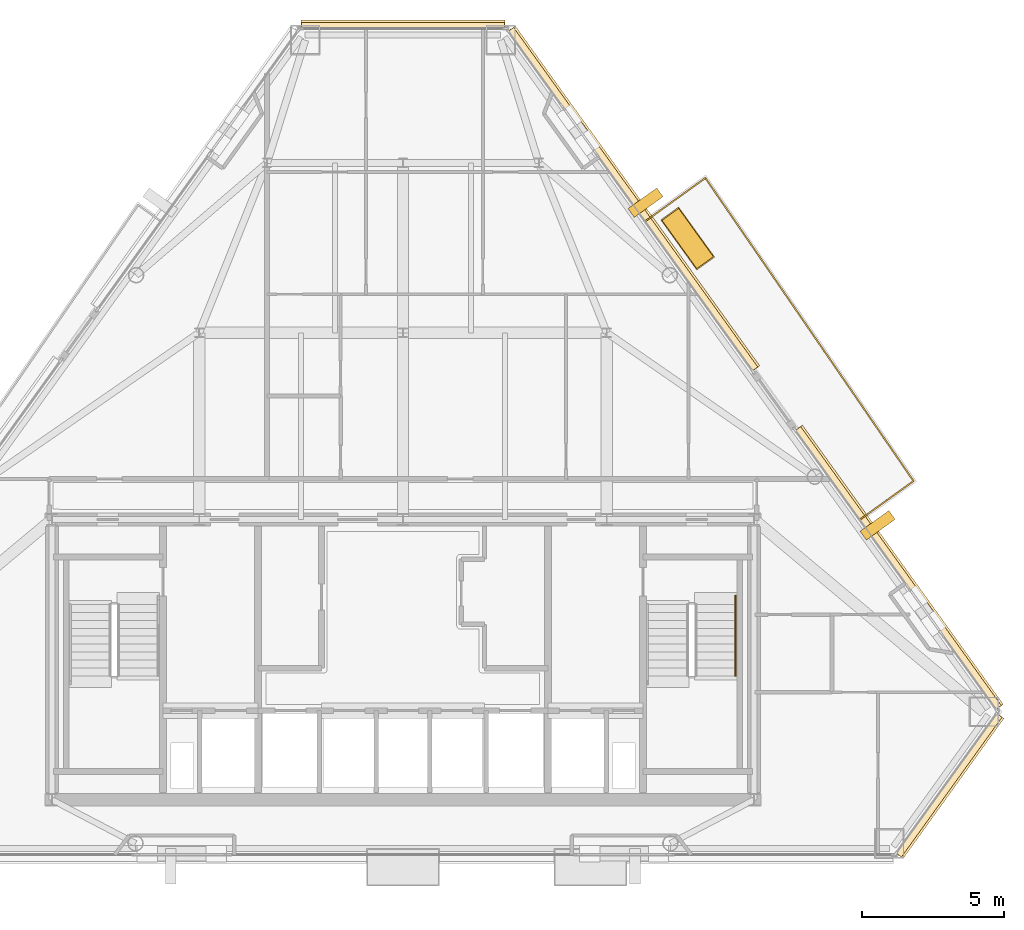
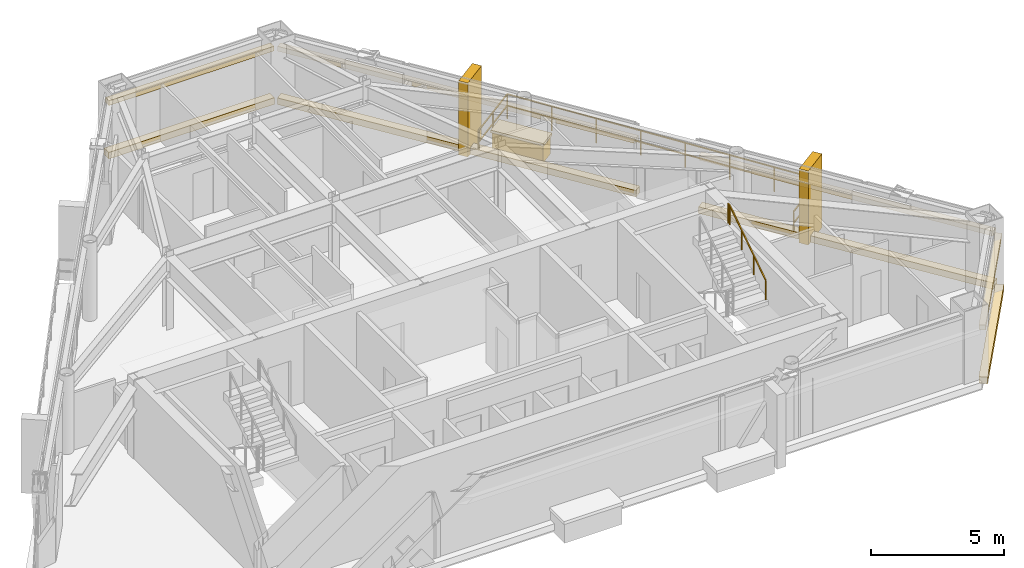
# One storey, part 11 of 11: 12 coverings, 2 railings.
"""IFC4 building model written with IfcOpenShell, lengths in metres."""

from ifc_helpers import new_model, si_unit, direction, frame, origin, origin_2d, place, context, subcontext, project, spatial, rectangle, extrude, material, layer, layer_set, type_object, element, save


model = new_model("IFC4")

# Units and contexts
model_context = context("Model", 3, precision=1e-05, world=origin(), true_north=direction((0.0, 1.0)))
body_context = subcontext(model_context, "Body", "Model", "MODEL_VIEW")
ifc_project = project(units=[si_unit("LENGTHUNIT", "METRE"), si_unit("AREAUNIT", "SQUARE_METRE"), si_unit("VOLUMEUNIT", "CUBIC_METRE"), si_unit("PLANEANGLEUNIT", "RADIAN"), si_unit("MASSUNIT", "GRAM", prefix="KILO")], contexts=[model_context])

# Site, building, storey
site_placement = place(None, origin())
site = spatial("IfcSite", under=ifc_project, at=site_placement, CompositionType="ELEMENT")
building_placement = place(site_placement, origin())
building = spatial("IfcBuilding", under=site, at=building_placement, Name="Talgorran Terracotta Tower", CompositionType="ELEMENT")
storey_placement = place(building_placement, frame((0.0, 0.0, 196.5)))
storey = spatial("IfcBuildingStorey", under=building, at=storey_placement, Name="L51", CompositionType="ELEMENT", Elevation=196.5)

# Coverings
ifc_material_1 = material(Name="Kiln-Fired Terracotta Ochre Ceramic", Category="masonry")
ifc_layer_1 = layer(ifc_material_1, 0.179931640625, Name="COV_BAGUETTE_TERRACOTTA_SCREEN")
ifc_layer_set_1 = layer_set([ifc_layer_1], Name="Kiln-Fired Terracotta Ochre Ceramic")
covering_type_1 = type_object("IfcCoveringType", Name="COV_BAGUETTE_TERRACOTTA_SCREEN", PredefinedType="CLADDING", material=ifc_layer_set_1)
covering_1_placement = place(storey_placement, frame((19.281982421875, -13.574951171875, 2.41015625), z_axis=(0.0, 0.0, 1.0), x_axis=(0.583980505394, 0.811767681864, 0.0)))
element("IfcCovering", 1, at=covering_1_placement, inside=storey, type_object=covering_type_1, Name="L51 Terracotta Baguette Solar Screen Assembly F2", PredefinedType="CLADDING", context=body_context, shape_type="SweptSolid", body=[
    extrude(rectangle(XDim=6.07958984375, YDim=0.260009765625, at=origin_2d()), origin(), (0.0, 0.0, 1.0), 0.219970703125),
])
covering_2_placement = place(storey_placement, frame((17.490478515625, -5.9189453125, 2.41015625), z_axis=(0.0, 0.0, 1.0), x_axis=(-0.583980505394, 0.811767681864, 0.0)))
element("IfcCovering", 2, at=covering_2_placement, inside=storey, type_object=covering_type_1, Name="L51 Terracotta Baguette Solar Screen Assembly F40", PredefinedType="CLADDING", context=body_context, shape_type="SweptSolid", body=[
    extrude(rectangle(XDim=12.135009765625, YDim=0.260009765625, at=origin_2d()), origin(), (0.0, 0.0, 1.0), 0.219970703125),
])
covering_3_placement = place(storey_placement, frame((8.115478515625, 7.112548828125, 2.41015625), z_axis=(0.0, 0.0, 1.0), x_axis=(-0.583980505394, 0.811767681864, 0.0)))
element("IfcCovering", 3, at=covering_3_placement, inside=storey, type_object=covering_type_1, Name="L51 Terracotta Baguette Solar Screen Assembly F41", PredefinedType="CLADDING", context=body_context, shape_type="SweptSolid", body=[
    extrude(rectangle(XDim=14.771240234375, YDim=0.260009765625, at=origin_2d()), origin(), (0.0, 0.0, 1.0), 0.219970703125),
])
covering_4_placement = place(storey_placement, frame((0.0, 13.23876953125, 2.41015625), z_axis=(0.0, 0.0, 1.0), x_axis=(-1.0, 0.0, 0.0)))
element("IfcCovering", 4, at=covering_4_placement, inside=storey, type_object=covering_type_1, Name="L51 Terracotta Baguette Solar Screen Assembly F4", PredefinedType="CLADDING", context=body_context, shape_type="SweptSolid", body=[
    extrude(rectangle(XDim=7.17431640625, YDim=0.260009765625, at=origin_2d()), origin(), (0.0, 0.0, 1.0), 0.219970703125),
])
ifc_material_2 = material(Name="Honed Limestone and Terracotta Planter", Category="masonry")
ifc_layer_2 = layer(ifc_material_2, 0.1201171875, Name="COV_PLANTER_BOX")
ifc_layer_set_2 = layer_set([ifc_layer_2], Name="Honed Limestone and Terracotta Planter")
covering_type_2 = type_object("IfcCoveringType", Name="COV_PLANTER_BOX", PredefinedType="CLADDING", material=ifc_layer_set_2)
covering_5_placement = place(storey_placement, frame((10.05908203125, 5.7294921875, -0.02001953125), z_axis=(0.0, 0.0, 1.0), x_axis=(-0.583980505394, 0.811767681864, 0.0)))
element("IfcCovering", 5, at=covering_5_placement, inside=storey, type_object=covering_type_2, Name="L51 Staggered Balcony Planter Box BAL-NE", PredefinedType="CLADDING", context=body_context, shape_type="SweptSolid", body=[
    extrude(rectangle(XDim=2.10009765625, YDim=0.719970703125, at=origin_2d()), origin(), (0.0, 0.0, 1.0), 0.860107421875),
])
ifc_material_3 = material(Name="Kiln-Fired Terracotta Planter Rim", Category="masonry")
ifc_layer_3 = layer(ifc_material_3, 0.10009765625, Name="COV_PLANTER_RIM")
ifc_layer_set_3 = layer_set([ifc_layer_3], Name="Kiln-Fired Terracotta Planter Rim")
covering_type_3 = type_object("IfcCoveringType", Name="COV_PLANTER_RIM", PredefinedType="CLADDING", material=ifc_layer_set_3)
covering_6_placement = place(storey_placement, frame((10.05908203125, 5.7294921875, 0.800048828125), z_axis=(0.0, 0.0, 1.0), x_axis=(-0.583980505394, 0.811767681864, 0.0)))
element("IfcCovering", 6, at=covering_6_placement, inside=storey, type_object=covering_type_3, Name="L51 Balcony Planter Terracotta Rim BAL-NE", PredefinedType="CLADDING", context=body_context, shape_type="SweptSolid", body=[
    extrude(rectangle(XDim=2.179931640625, YDim=0.780029296875, at=origin_2d()), origin(), (0.0, 0.0, 1.0), 0.1201171875),
])
ifc_material_4 = material(Name="Honed Limestone Cladding", Category="masonry")
ifc_layer_4 = layer(ifc_material_4, 0.094970703125, Name="COV_PORTAL_LIME")
ifc_layer_set_4 = layer_set([ifc_layer_4], Name="Honed Limestone Cladding")
covering_type_4 = type_object("IfcCoveringType", Name="COV_PORTAL_LIME", PredefinedType="CLADDING", material=ifc_layer_set_4)
covering_7_placement = place(storey_placement, frame((16.768798828125, -4.402099609375, -0.050048828125), z_axis=(0.0, 0.0, 1.0), x_axis=(-0.583980505394, 0.811767681864, 0.0)))
element("IfcCovering", 7, at=covering_7_placement, inside=storey, type_object=covering_type_4, Name="L51 White Striped Portal Fin F3-1", PredefinedType="CLADDING", context=body_context, shape_type="SweptSolid", body=[
    extrude(rectangle(XDim=0.3798828125, YDim=1.25, at=origin_2d()), origin(), (0.0, 0.0, 1.0), 3.39990234375),
])
ifc_material_5 = material(Name="Kiln-Fired Terracotta Cladding", Category="masonry")
ifc_layer_5 = layer(ifc_material_5, 0.090087890625, Name="COV_PORTAL_TERRA")
ifc_layer_set_5 = layer_set([ifc_layer_5], Name="Kiln-Fired Terracotta Cladding")
covering_type_5 = type_object("IfcCoveringType", Name="COV_PORTAL_TERRA", PredefinedType="CLADDING", material=ifc_layer_set_5)
covering_8_placement = place(storey_placement, frame((19.314453125, -13.598388671875, -0.0400390625), z_axis=(0.0, 0.0, 1.0), x_axis=(0.583980505394, 0.811767681864, 0.0)))
element("IfcCovering", 8, at=covering_8_placement, inside=storey, type_object=covering_type_5, Name="L51 Striped Postmodern Portal Cladding Band F2", PredefinedType="CLADDING", context=body_context, shape_type="SweptSolid", body=[
    extrude(rectangle(XDim=6.099609375, YDim=0.340087890625, at=origin_2d()), origin(), (0.0, 0.0, 1.0), 0.300048828125),
])
covering_9_placement = place(storey_placement, frame((17.52294921875, -5.8955078125, -0.0400390625), z_axis=(0.0, 0.0, 1.0), x_axis=(-0.583980505394, 0.811767681864, 0.0)))
element("IfcCovering", 9, at=covering_9_placement, inside=storey, type_object=covering_type_5, Name="L51 Striped Postmodern Portal Cladding Band F40", PredefinedType="CLADDING", context=body_context, shape_type="SweptSolid", body=[
    extrude(rectangle(XDim=12.155029296875, YDim=0.340087890625, at=origin_2d()), origin(), (0.0, 0.0, 1.0), 0.300048828125),
])
covering_10_placement = place(storey_placement, frame((8.148193359375, 7.135986328125, -0.0400390625), z_axis=(0.0, 0.0, 1.0), x_axis=(-0.583980505394, 0.811767681864, 0.0)))
element("IfcCovering", 10, at=covering_10_placement, inside=storey, type_object=covering_type_5, Name="L51 Striped Postmodern Portal Cladding Band F41", PredefinedType="CLADDING", context=body_context, shape_type="SweptSolid", body=[
    extrude(rectangle(XDim=14.791259765625, YDim=0.340087890625, at=origin_2d()), origin(), (0.0, 0.0, 1.0), 0.300048828125),
])
covering_11_placement = place(storey_placement, frame((0.0, 13.27880859375, -0.0400390625), z_axis=(0.0, 0.0, 1.0), x_axis=(-1.0, 0.0, 0.0)))
element("IfcCovering", 11, at=covering_11_placement, inside=storey, type_object=covering_type_5, Name="L51 Striped Postmodern Portal Cladding Band F4", PredefinedType="CLADDING", context=body_context, shape_type="SweptSolid", body=[
    extrude(rectangle(XDim=7.194091796875, YDim=0.340087890625, at=origin_2d()), origin(), (0.0, 0.0, 1.0), 0.300048828125),
])
covering_12_placement = place(storey_placement, frame((8.569091796875, 6.995849609375, -0.050048828125), z_axis=(0.0, 0.0, 1.0), x_axis=(-0.583980505394, 0.811767681864, 0.0)))
element("IfcCovering", 12, at=covering_12_placement, inside=storey, type_object=covering_type_5, Name="L51 Terracotta Striped Portal Fin F3-2", PredefinedType="CLADDING", context=body_context, shape_type="SweptSolid", body=[
    extrude(rectangle(XDim=0.3798828125, YDim=1.25, at=origin_2d()), origin(), (0.0, 0.0, 1.0), 3.39990234375),
])

# Railings
ifc_material_6 = material(Name="Laminated Glass and Stainless Steel 316", Category="steel")
railing_type_1 = type_object("IfcRailingType", Name="RL_BALCONY_1150", PredefinedType="BALUSTRADE", material=ifc_material_6)
railing_1_placement = place(storey_placement, frame((16.15185546875, -4.1953125, 0.0)))
element("IfcRailing", 13, at=railing_1_placement, inside=storey, type_object=railing_type_1, Name="RL-L51-BAL-BAL-NE", PredefinedType="BALUSTRADE", context=body_context, shape_type="SweptSolid", body=[
    extrude(rectangle(XDim=0.048095703125, YDim=0.048095703125, at=origin_2d()), frame((0.0, 0.0, 1.1259765625), z_axis=(0.811775539215, 0.583969583054, 0.0), x_axis=(-0.583969583054, 0.811775539215, 0.0)), (0.0, 0.0, 1.0), 2.322265625),
    extrude(rectangle(XDim=0.048095703125, YDim=0.048095703125, at=origin_2d()), frame((0.0, 0.0, 0.597900390625), z_axis=(0.811775539215, 0.583969583054, 0.0), x_axis=(-0.583969583054, 0.811775539215, 0.0)), (0.0, 0.0, 1.0), 2.322265625),
    extrude(rectangle(XDim=0.048095703125, YDim=0.048095703125, at=origin_2d()), frame((1.88525390625, 1.356201171875, 1.1259765625), z_axis=(-0.566164184219, 0.824292494511, 0.0), x_axis=(-0.824292494511, -0.566164184219, 0.0)), (0.0, 0.0, 1.0), 12.98779296875),
    extrude(rectangle(XDim=0.048095703125, YDim=0.048095703125, at=origin_2d()), frame((1.88525390625, 1.356201171875, 0.597900390625), z_axis=(-0.566164184219, 0.824292494511, 0.0), x_axis=(-0.824292494511, -0.566164184219, 0.0)), (0.0, 0.0, 1.0), 12.98779296875),
    extrude(rectangle(XDim=0.048095703125, YDim=0.048095703125, at=origin_2d()), frame((-5.468017578125, 12.06201171875, 1.1259765625), z_axis=(-0.811740478886, -0.584018317296, 0.0), x_axis=(0.584018317296, -0.811740478886, 0.0)), (0.0, 0.0, 1.0), 2.605224609375),
    extrude(rectangle(XDim=0.048095703125, YDim=0.048095703125, at=origin_2d()), frame((-5.468017578125, 12.06201171875, 0.597900390625), z_axis=(-0.811740478886, -0.584018317296, 0.0), x_axis=(0.584018317296, -0.811740478886, 0.0)), (0.0, 0.0, 1.0), 2.605224609375),
    extrude(rectangle(XDim=0.0419921875, YDim=0.0419921875, at=origin_2d()), origin(), (0.0, 0.0, 1.0), 1.101806640625),
    extrude(rectangle(XDim=0.0419921875, YDim=0.0419921875, at=origin_2d()), frame((0.942626953125, 0.67822265625, 0.0)), (0.0, 0.0, 1.0), 1.101806640625),
    extrude(rectangle(XDim=0.0419921875, YDim=0.0419921875, at=origin_2d()), frame((1.88525390625, 1.356201171875, 0.0)), (0.0, 0.0, 1.0), 1.101806640625),
    extrude(rectangle(XDim=0.0419921875, YDim=0.0419921875, at=origin_2d()), frame((0.834716796875, 2.885498046875, 0.0)), (0.0, 0.0, 1.0), 1.101806640625),
    extrude(rectangle(XDim=0.0419921875, YDim=0.0419921875, at=origin_2d()), frame((-0.215576171875, 4.4150390625, 0.0)), (0.0, 0.0, 1.0), 1.101806640625),
    extrude(rectangle(XDim=0.0419921875, YDim=0.0419921875, at=origin_2d()), frame((-1.26611328125, 5.9443359375, 0.0)), (0.0, 0.0, 1.0), 1.101806640625),
    extrude(rectangle(XDim=0.0419921875, YDim=0.0419921875, at=origin_2d()), frame((-2.316650390625, 7.473876953125, 0.0)), (0.0, 0.0, 1.0), 1.101806640625),
    extrude(rectangle(XDim=0.0419921875, YDim=0.0419921875, at=origin_2d()), frame((-3.3671875, 9.003173828125, 0.0)), (0.0, 0.0, 1.0), 1.101806640625),
    extrude(rectangle(XDim=0.0419921875, YDim=0.0419921875, at=origin_2d()), frame((-4.41748046875, 10.53271484375, 0.0)), (0.0, 0.0, 1.0), 1.101806640625),
    extrude(rectangle(XDim=0.0419921875, YDim=0.0419921875, at=origin_2d()), frame((-5.468017578125, 12.06201171875, 0.0)), (0.0, 0.0, 1.0), 1.101806640625),
    extrude(rectangle(XDim=0.0419921875, YDim=0.0419921875, at=origin_2d()), frame((-6.525390625, 11.30126953125, 0.0)), (0.0, 0.0, 1.0), 1.101806640625),
    extrude(rectangle(XDim=0.0419921875, YDim=0.0419921875, at=origin_2d()), frame((-7.582763671875, 10.54052734375, 0.0)), (0.0, 0.0, 1.0), 1.101806640625),
])
ifc_material_7 = material(Name="Steel S355 (300PLUS)", Category="steel")
railing_type_2 = type_object("IfcRailingType", Name="RL_HANDRAIL_920", PredefinedType="HANDRAIL", material=ifc_material_7)
railing_2_placement = place(storey_placement, frame((11.75, -9.719970703125, 1.97998046875)))
element("IfcRailing", 14, at=railing_2_placement, inside=storey, type_object=railing_type_2, Name="L51 ST-02 stair handrail 2", PredefinedType="HANDRAIL", context=body_context, shape_type="SweptSolid", body=[
    extrude(rectangle(XDim=0.048095703125, YDim=0.048095703125, at=origin_2d()), frame((0.0, 0.0, 0.89599609375), z_axis=(0.0, 0.832038719335, 0.554717558338), x_axis=(-1.0, 0.0, 0.0)), (0.0, 0.0, 1.0), 3.244873046875),
    extrude(rectangle(XDim=0.048095703125, YDim=0.048095703125, at=origin_2d()), frame((0.0, 2.699951171875, 2.69580078125), z_axis=(0.0, 1.0, 0.0), x_axis=(-1.0, 0.0, 0.0)), (0.0, 0.0, 1.0), 0.1201171875),
    extrude(rectangle(XDim=0.0419921875, YDim=0.0419921875, at=origin_2d()), origin(), (0.0, 0.0, 1.0), 0.871826171875),
    extrude(rectangle(XDim=0.0419921875, YDim=0.0419921875, at=origin_2d()), frame((0.0, 0.89990234375, 0.60009765625)), (0.0, 0.0, 1.0), 0.871826171875),
    extrude(rectangle(XDim=0.0419921875, YDim=0.0419921875, at=origin_2d()), frame((0.0, 1.800048828125, 1.199951171875)), (0.0, 0.0, 1.0), 0.871826171875),
    extrude(rectangle(XDim=0.0419921875, YDim=0.0419921875, at=origin_2d()), frame((0.0, 2.699951171875, 1.800048828125)), (0.0, 0.0, 1.0), 0.871826171875),
    extrude(rectangle(XDim=0.0419921875, YDim=0.0419921875, at=origin_2d()), frame((0.0, 2.820068359375, 1.800048828125)), (0.0, 0.0, 1.0), 0.871826171875),
])

save(model, "model.ifc")
